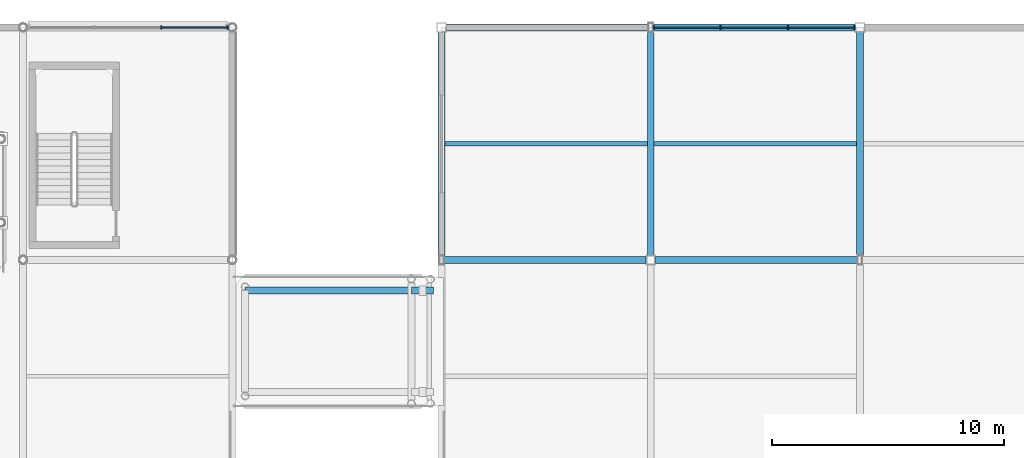
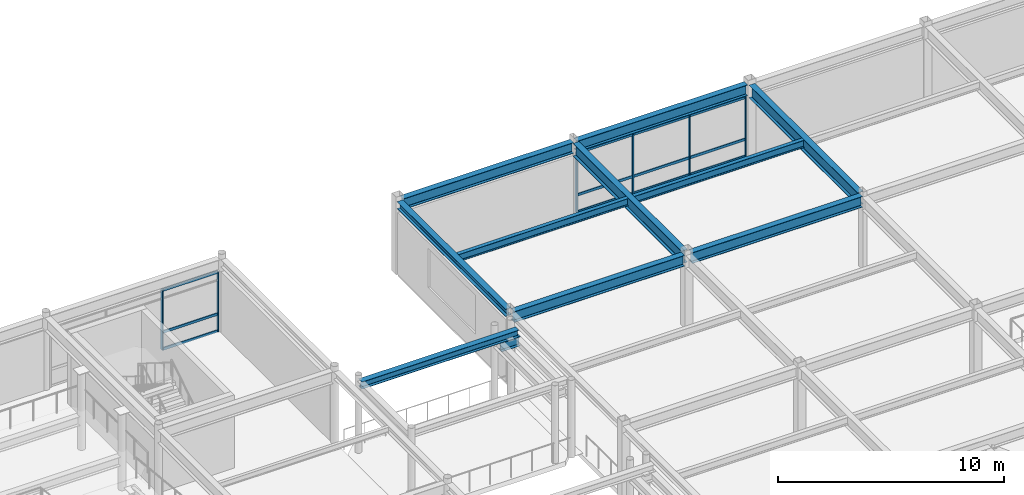
# One storey, part 24 of 70: 18 members, 11 beams, 2 elements without a shape of their own.
"""IFC4 building model written with IfcOpenShell, lengths in metres."""

import ifcopenshell
import ifcopenshell.guid

model = None  # the IFC model being written
_history = None  # IfcOwnerHistory: only IFC2X3 demands one
_inside = {}  # id of a spatial element -> (the spatial element, [elements in it])
_under = {}  # id of a project, library or spatial element -> (it, [spatial elements below it])
_declared = {}  # id of a project -> (the project, [libraries it declares])
_typed = {}  # id of a type object -> (the type object, [elements of that type])
_made_of = {}  # id of a material, layer set ... -> (it, [elements and type objects made of it])


def new_model(schema):
    """Start an empty IFC model of exactly this schema.

    Asked for "IFC4X3", IfcOpenShell would pick the latest addendum, in which some entities
    have other attributes; the version numbers below select the first issue.
    IFC2X3 requires an IfcOwnerHistory on every rooted entity: one is made here for all.
    """
    global model, _history
    if schema == "IFC4X3":
        model = ifcopenshell.file(schema_version=(4, 3, 0, 0))
    else:
        model = ifcopenshell.file(schema=schema)
    _inside.clear()
    _under.clear()
    _declared.clear()
    _typed.clear()
    _made_of.clear()
    _history = None
    if model.schema == "IFC2X3":
        org = make("IfcOrganization", Name="unknown")
        user = make(
            "IfcPersonAndOrganization",
            ThePerson=make("IfcPerson", FamilyName="unknown"),
            TheOrganization=org,
        )
        app = make(
            "IfcApplication",
            ApplicationDeveloper=org,
            Version="unknown",
            ApplicationFullName="unknown",
            ApplicationIdentifier="unknown",
        )
        _history = make(
            "IfcOwnerHistory",
            OwningUser=user,
            OwningApplication=app,
            ChangeAction="ADDED",
            CreationDate=0,
        )
    return model


def make(cls, **values):
    """One entity of the class cls with the attributes given. An attribute that is None is left unset."""
    return model.create_entity(
        cls, **{name: value for name, value in values.items() if value is not None}
    )


def rooted(cls, **values):
    """An entity with a GlobalId (a new one), such as an element, a storey or a relation."""
    return make(cls, GlobalId=ifcopenshell.guid.new(), OwnerHistory=_history, **values)


def si_unit(unit_type, name, prefix=None):
    """IfcSIUnit, for example si_unit("LENGTHUNIT", "METRE", prefix="MILLI")."""
    return make("IfcSIUnit", UnitType=unit_type, Prefix=prefix, Name=name)


def assignment(units):
    """IfcUnitAssignment: the units of a project."""
    return None if units is None else make("IfcUnitAssignment", Units=units)


def point(xyz):
    """IfcCartesianPoint."""
    return None if xyz is None else make("IfcCartesianPoint", Coordinates=xyz)


def direction(xyz):
    """IfcDirection."""
    return None if xyz is None else make("IfcDirection", DirectionRatios=xyz)


def frame(location, z_axis=None, x_axis=None):
    """IfcAxis2Placement3D, a coordinate frame: its origin and axes. An axis left out is left unset."""
    return make(
        "IfcAxis2Placement3D",
        Location=point(location),
        Axis=direction(z_axis),
        RefDirection=direction(x_axis),
    )


def frame_2d(location, x_axis=None):
    """IfcAxis2Placement2D, a coordinate frame in the plane: its origin and x axis."""
    return make(
        "IfcAxis2Placement2D", Location=point(location), RefDirection=direction(x_axis)
    )


def origin():
    """The frame at (0, 0, 0) with its axes left unset."""
    return frame((0.0, 0.0, 0.0))


def origin_2d():
    """The frame at (0, 0) in the plane with its x axis left unset."""
    return frame_2d((0.0, 0.0))


def place(relative_to, where):
    """IfcLocalPlacement: puts the frame where relative to a parent placement (None: the world)."""
    return make(
        "IfcLocalPlacement", PlacementRelTo=relative_to, RelativePlacement=where
    )


def context(
    kind, dimensions, precision=None, world=None, true_north=None, identifier=None
):
    """IfcGeometricRepresentationContext, for example the 3D "Model" context."""
    return make(
        "IfcGeometricRepresentationContext",
        ContextIdentifier=identifier,
        ContextType=kind,
        CoordinateSpaceDimension=dimensions,
        Precision=precision,
        WorldCoordinateSystem=world,
        TrueNorth=true_north,
    )


def subcontext(parent, identifier, kind, view, scale=None):
    """IfcGeometricRepresentationSubContext, for example "Body" below "Model"."""
    return make(
        "IfcGeometricRepresentationSubContext",
        ContextIdentifier=identifier,
        ContextType=kind,
        ParentContext=parent,
        TargetScale=scale,
        TargetView=view,
    )


def project(units=None, contexts=None):
    """IfcProject with its units and contexts."""
    return rooted(
        "IfcProject",
        Name="project",
        RepresentationContexts=contexts,
        UnitsInContext=assignment(units),
    )


def spatial(cls, under=None, at=None, **own):
    """A site, building, storey or space (cls), placed at a placement, below another one or the project."""
    s = rooted(cls, ObjectPlacement=at, **own)
    if under is not None:
        _under.setdefault(under.id(), (under, []))[1].append(s)
    return s


def profile(cls, at=None, kind="AREA", **sizes):
    """A parametric profile (cls). Its sizes go by their IFC names, for example OverallWidth=200.0."""
    return make(cls, ProfileType=kind, Position=at, **sizes)


def rectangle(**sizes):
    """IfcRectangleProfileDef."""
    return profile("IfcRectangleProfileDef", **sizes)


def i_section(**sizes):
    """IfcIShapeProfileDef."""
    return profile("IfcIShapeProfileDef", **sizes)


def extrude(swept, where, along, depth):
    """IfcExtrudedAreaSolid: the profile swept, set in the frame where, extruded along a direction by depth."""
    return make(
        "IfcExtrudedAreaSolid",
        SweptArea=swept,
        Position=where,
        ExtrudedDirection=direction(along),
        Depth=depth,
    )


def shape(context_of_items, identifier, shape_type, items):
    """IfcShapeRepresentation: the items that make up one representation, for example the "Body"."""
    return make(
        "IfcShapeRepresentation",
        ContextOfItems=context_of_items,
        RepresentationIdentifier=identifier,
        RepresentationType=shape_type,
        Items=items,
    )


def material(Name=None, Category=None):
    """IfcMaterial."""
    return make("IfcMaterial", Name=Name, Category=Category)


def material_profile(
    of_material, cross_section, Name=None, Category=None, Priority=None
):
    """IfcMaterialProfile: a cross section and its material."""
    return make(
        "IfcMaterialProfile",
        Name=Name,
        Material=of_material,
        Profile=cross_section,
        Priority=Priority,
        Category=Category,
    )


def profile_set(profiles, Name=None, composite=None):
    """IfcMaterialProfileSet."""
    return make(
        "IfcMaterialProfileSet",
        Name=Name,
        MaterialProfiles=profiles,
        CompositeProfile=composite,
    )


def made_of(thing, what):
    """Note that an element or type object is made of a material, layer set ...; save() writes the relation."""
    if what is not None:
        _made_of.setdefault(what.id(), (what, []))[1].append(thing)
    return thing


def type_object(cls, material=None, **own):
    """A type object (cls), such as IfcWallType, which elements share."""
    return made_of(rooted(cls, **own), material)


def element(
    cls,
    number,
    at=None,
    inside=None,
    cuts=None,
    type_object=None,
    material=None,
    context=None,
    identifier="Body",
    shape_type=None,
    held_by="IfcProductDefinitionShape",
    body=None,
    shapes=None,
    **own,
):
    """One element of the class cls, such as IfcWall. Its Tag is "e" and its number.

    at: its placement. inside: the storey or other place that contains it. cuts: it is an
    opening in that element (IfcRelVoidsElement). A single representation is given by context,
    identifier, shape_type and body (its items); several are given by shapes. held_by: the class
    of the entity that holds the representations. save() writes the other relations.
    """
    e = rooted(cls, Tag="e%d" % number, ObjectPlacement=at, **own)
    if body is not None:
        shapes = [shape(context, identifier, shape_type, body)]
    if shapes is not None:
        e.Representation = make(held_by, Representations=shapes)
    if inside is not None:
        _inside.setdefault(inside.id(), (inside, []))[1].append(e)
    if cuts is not None:
        rooted(
            "IfcRelVoidsElement", RelatingBuildingElement=cuts, RelatedOpeningElement=e
        )
    if type_object is not None:
        _typed.setdefault(type_object.id(), (type_object, []))[1].append(e)
    return made_of(e, material)


def aggregate(whole, parts):
    """IfcRelAggregates: a whole, such as a stair, and the parts it consists of."""
    return rooted("IfcRelAggregates", RelatingObject=whole, RelatedObjects=parts)


def save(model, path):
    """Write the relations noted so far, then the file.

    IfcRelAggregates (storeys below a building ...), IfcRelContainedInSpatialStructure (elements
    in a storey), IfcRelDefinesByType, IfcRelAssociatesMaterial and IfcRelDeclares: one each for
    every whole, place, type object, material and project.
    """
    for whole, parts in _under.values():
        aggregate(whole, parts)
    for where, things in _inside.values():
        rooted(
            "IfcRelContainedInSpatialStructure",
            RelatedElements=things,
            RelatingStructure=where,
        )
    for kind, things in _typed.values():
        rooted("IfcRelDefinesByType", RelatedObjects=things, RelatingType=kind)
    for what, things in _made_of.values():
        rooted("IfcRelAssociatesMaterial", RelatedObjects=things, RelatingMaterial=what)
    for by, libraries in _declared.values():
        rooted("IfcRelDeclares", RelatingContext=by, RelatedDefinitions=libraries)
    model.write(path)


model = new_model("IFC4")

# Units and contexts
model_context = context("Model", 3, precision=1e-05, world=origin(), true_north=direction((0.0, 1.0)))
body_context = subcontext(model_context, "Body", "Model", "MODEL_VIEW")
ifc_project = project(units=[si_unit("LENGTHUNIT", "METRE"), si_unit("AREAUNIT", "SQUARE_METRE"), si_unit("VOLUMEUNIT", "CUBIC_METRE"), si_unit("PLANEANGLEUNIT", "RADIAN"), si_unit("MASSUNIT", "GRAM", prefix="KILO")], contexts=[model_context])

# Site, building, storey
site_placement = place(None, origin())
site = spatial("IfcSite", under=ifc_project, at=site_placement, CompositionType="ELEMENT")
building_placement = place(site_placement, origin())
building = spatial("IfcBuilding", under=site, at=building_placement, Name="Suzunagisa Mobility Hub", CompositionType="ELEMENT")
storey_placement = place(building_placement, frame((0.0, 0.0, 13.5)))
storey = spatial("IfcBuildingStorey", under=building, at=storey_placement, Name="L03", CompositionType="ELEMENT", Elevation=13.5)

# Curtain wall, members
ifc_material_1 = material(Name="Thermally Broken Anodized Aluminum and Low-E Glazing", Category="aluminium")
curtain_wall_type = type_object("IfcCurtainWallType", Name="Unitised Curtain Wall CW-13 8750x3200", PredefinedType="USERDEFINED", material=ifc_material_1)
curtain_wall_1_placement = place(storey_placement, origin())
curtain_wall_1 = element("IfcCurtainWall", 1, at=curtain_wall_1_placement, inside=storey, type_object=curtain_wall_type, Name="L03 Unitised Curtain Wall CW-75", ObjectType="UNITISED CURTAIN WALL", PredefinedType="USERDEFINED")
ifc_material_2 = material(Name="Anodized Aluminum 6063-T6", Category="aluminium")
ifc_material_profile_1 = material_profile(ifc_material_2, rectangle(XDim=0.06494140625, YDim=0.139892578125, at=origin_2d()), Name="TRAN-65x140")
ifc_profile_set_1 = profile_set([ifc_material_profile_1], Name="Anodized Aluminum 6063-T6")
member_type_1 = type_object("IfcMemberType", Name="Curtain Wall Framing CM-01 TRAN-65x140", PredefinedType="USERDEFINED", material=ifc_profile_set_1)
member_1_placement = place(storey_placement, frame((35.76416015625, 118.0, 0.032470703125), z_axis=(-1.0, 0.0, 0.0), x_axis=(0.0, -1.0, 0.0)))
member_1 = element("IfcMember", 2, at=member_1_placement, type_object=member_type_1, Name="Curtain Wall Transom 75-T1.1", ObjectType="TRANSOM", PredefinedType="USERDEFINED", context=body_context, shape_type="SweptSolid", body=[
    extrude(rectangle(XDim=0.06494140625, YDim=0.139892578125, at=origin_2d()), origin(), (0.0, 0.0, 1.0), 2.79541015625),
])
member_2_placement = place(storey_placement, frame((35.76416015625, 118.0, 0.949951171875), z_axis=(-1.0, 0.0, 0.0), x_axis=(0.0, -1.0, 0.0)))
member_2 = element("IfcMember", 3, at=member_2_placement, type_object=member_type_1, Name="Curtain Wall Transom 75-T1.2", ObjectType="TRANSOM", PredefinedType="USERDEFINED", context=body_context, shape_type="SweptSolid", body=[
    extrude(rectangle(XDim=0.06494140625, YDim=0.139892578125, at=origin_2d()), origin(), (0.0, 0.0, 1.0), 2.79541015625),
])
member_3_placement = place(storey_placement, frame((35.76416015625, 118.0, 3.217529296875), z_axis=(-1.0, 0.0, 0.0), x_axis=(0.0, -1.0, 0.0)))
member_3 = element("IfcMember", 4, at=member_3_placement, type_object=member_type_1, Name="Curtain Wall Transom 75-T1.3", ObjectType="TRANSOM", PredefinedType="USERDEFINED", context=body_context, shape_type="SweptSolid", body=[
    extrude(rectangle(XDim=0.06494140625, YDim=0.139892578125, at=origin_2d()), origin(), (0.0, 0.0, 1.0), 2.79541015625),
])

curtain_wall_2_placement = place(storey_placement, origin())
curtain_wall_2 = element("IfcCurtainWall", 5, at=curtain_wall_2_placement, inside=storey, type_object=curtain_wall_type, Name="L03 Unitised Curtain Wall CW-130", ObjectType="UNITISED CURTAIN WALL", PredefinedType="USERDEFINED")
member_4_placement = place(storey_placement, frame((62.741943359375, 118.0, 0.032470703125), z_axis=(-1.0, 0.0, 0.0), x_axis=(0.0, -1.0, 0.0)))
member_4 = element("IfcMember", 6, at=member_4_placement, type_object=member_type_1, Name="Curtain Wall Transom 130-T1.1", ObjectType="TRANSOM", PredefinedType="USERDEFINED", context=body_context, shape_type="SweptSolid", body=[
    extrude(rectangle(XDim=0.06494140625, YDim=0.139892578125, at=origin_2d()), origin(), (0.0, 0.0, 1.0), 2.81396484375),
])
member_5_placement = place(storey_placement, frame((62.741943359375, 118.0, 0.949951171875), z_axis=(-1.0, 0.0, 0.0), x_axis=(0.0, -1.0, 0.0)))
member_5 = element("IfcMember", 7, at=member_5_placement, type_object=member_type_1, Name="Curtain Wall Transom 130-T1.2", ObjectType="TRANSOM", PredefinedType="USERDEFINED", context=body_context, shape_type="SweptSolid", body=[
    extrude(rectangle(XDim=0.06494140625, YDim=0.139892578125, at=origin_2d()), origin(), (0.0, 0.0, 1.0), 2.81396484375),
])
member_6_placement = place(storey_placement, frame((62.741943359375, 118.0, 3.217529296875), z_axis=(-1.0, 0.0, 0.0), x_axis=(0.0, -1.0, 0.0)))
member_6 = element("IfcMember", 8, at=member_6_placement, type_object=member_type_1, Name="Curtain Wall Transom 130-T1.3", ObjectType="TRANSOM", PredefinedType="USERDEFINED", context=body_context, shape_type="SweptSolid", body=[
    extrude(rectangle(XDim=0.06494140625, YDim=0.139892578125, at=origin_2d()), origin(), (0.0, 0.0, 1.0), 2.81396484375),
])
member_7_placement = place(storey_placement, frame((59.8720703125, 118.0, 0.032470703125), z_axis=(-1.0, 0.0, 0.0), x_axis=(0.0, -1.0, 0.0)))
member_7 = element("IfcMember", 9, at=member_7_placement, type_object=member_type_1, Name="Curtain Wall Transom 130-T2.1", ObjectType="TRANSOM", PredefinedType="USERDEFINED", context=body_context, shape_type="SweptSolid", body=[
    extrude(rectangle(XDim=0.06494140625, YDim=0.139892578125, at=origin_2d()), origin(), (0.0, 0.0, 1.0), 2.843994140625),
])
member_8_placement = place(storey_placement, frame((59.8720703125, 118.0, 0.949951171875), z_axis=(-1.0, 0.0, 0.0), x_axis=(0.0, -1.0, 0.0)))
member_8 = element("IfcMember", 10, at=member_8_placement, type_object=member_type_1, Name="Curtain Wall Transom 130-T2.2", ObjectType="TRANSOM", PredefinedType="USERDEFINED", context=body_context, shape_type="SweptSolid", body=[
    extrude(rectangle(XDim=0.06494140625, YDim=0.139892578125, at=origin_2d()), origin(), (0.0, 0.0, 1.0), 2.843994140625),
])
member_9_placement = place(storey_placement, frame((59.8720703125, 118.0, 3.217529296875), z_axis=(-1.0, 0.0, 0.0), x_axis=(0.0, -1.0, 0.0)))
member_9 = element("IfcMember", 11, at=member_9_placement, type_object=member_type_1, Name="Curtain Wall Transom 130-T2.3", ObjectType="TRANSOM", PredefinedType="USERDEFINED", context=body_context, shape_type="SweptSolid", body=[
    extrude(rectangle(XDim=0.06494140625, YDim=0.139892578125, at=origin_2d()), origin(), (0.0, 0.0, 1.0), 2.843994140625),
])
member_10_placement = place(storey_placement, frame((56.971923828125, 118.0, 0.032470703125), z_axis=(-1.0, 0.0, 0.0), x_axis=(0.0, -1.0, 0.0)))
member_10 = element("IfcMember", 12, at=member_10_placement, type_object=member_type_1, Name="Curtain Wall Transom 130-T3.1", ObjectType="TRANSOM", PredefinedType="USERDEFINED", context=body_context, shape_type="SweptSolid", body=[
    extrude(rectangle(XDim=0.06494140625, YDim=0.139892578125, at=origin_2d()), origin(), (0.0, 0.0, 1.0), 2.81396484375),
])
member_11_placement = place(storey_placement, frame((56.971923828125, 118.0, 0.949951171875), z_axis=(-1.0, 0.0, 0.0), x_axis=(0.0, -1.0, 0.0)))
member_11 = element("IfcMember", 13, at=member_11_placement, type_object=member_type_1, Name="Curtain Wall Transom 130-T3.2", ObjectType="TRANSOM", PredefinedType="USERDEFINED", context=body_context, shape_type="SweptSolid", body=[
    extrude(rectangle(XDim=0.06494140625, YDim=0.139892578125, at=origin_2d()), origin(), (0.0, 0.0, 1.0), 2.81396484375),
])
member_12_placement = place(storey_placement, frame((56.971923828125, 118.0, 3.217529296875), z_axis=(-1.0, 0.0, 0.0), x_axis=(0.0, -1.0, 0.0)))
member_12 = element("IfcMember", 14, at=member_12_placement, type_object=member_type_1, Name="Curtain Wall Transom 130-T3.3", ObjectType="TRANSOM", PredefinedType="USERDEFINED", context=body_context, shape_type="SweptSolid", body=[
    extrude(rectangle(XDim=0.06494140625, YDim=0.139892578125, at=origin_2d()), origin(), (0.0, 0.0, 1.0), 2.81396484375),
])

# Member
ifc_material_profile_2 = material_profile(ifc_material_2, rectangle(XDim=0.06005859375, YDim=0.14990234375, at=origin_2d()), Name="MULL-60x150")
ifc_profile_set_2 = profile_set([ifc_material_profile_2], Name="Anodized Aluminum 6063-T6")
member_type_2 = type_object("IfcMemberType", Name="Curtain Wall Framing CM-03 MULL-60x150", PredefinedType="MULLION", material=ifc_profile_set_2)
member_13_placement = place(storey_placement, frame((35.792236328125, 118.0, 0.0), z_axis=(0.0, 0.0, 1.0), x_axis=(-1.0, 0.0, 0.0)))
member_13 = element("IfcMember", 15, at=member_13_placement, type_object=member_type_2, Name="Curtain Wall Mullion 75-M1", PredefinedType="MULLION", context=body_context, shape_type="SweptSolid", body=[
    extrude(rectangle(XDim=0.06005859375, YDim=0.14990234375, at=origin_2d()), origin(), (0.0, 0.0, 1.0), 3.25),
])

member_14_placement = place(storey_placement, frame((32.940673828125, 118.0, 0.0), z_axis=(0.0, 0.0, 1.0), x_axis=(-1.0, 0.0, 0.0)))
member_14 = element("IfcMember", 16, at=member_14_placement, type_object=member_type_2, Name="Curtain Wall Mullion 75-M2", PredefinedType="MULLION", context=body_context, shape_type="SweptSolid", body=[
    extrude(rectangle(XDim=0.06005859375, YDim=0.14990234375, at=origin_2d()), origin(), (0.0, 0.0, 1.0), 3.25),
])

aggregate(curtain_wall_1, [member_13, member_14, member_1, member_2, member_3])

member_15_placement = place(storey_placement, frame((62.77001953125, 118.0, 0.0), z_axis=(0.0, 0.0, 1.0), x_axis=(-1.0, 0.0, 0.0)))
member_15 = element("IfcMember", 17, at=member_15_placement, type_object=member_type_2, Name="Curtain Wall Mullion 130-M1", PredefinedType="MULLION", context=body_context, shape_type="SweptSolid", body=[
    extrude(rectangle(XDim=0.06005859375, YDim=0.14990234375, at=origin_2d()), origin(), (0.0, 0.0, 1.0), 3.25),
])

member_16_placement = place(storey_placement, frame((59.89990234375, 118.0, 0.0), z_axis=(0.0, 0.0, 1.0), x_axis=(-1.0, 0.0, 0.0)))
member_16 = element("IfcMember", 18, at=member_16_placement, type_object=member_type_2, Name="Curtain Wall Mullion 130-M2", PredefinedType="MULLION", context=body_context, shape_type="SweptSolid", body=[
    extrude(rectangle(XDim=0.06005859375, YDim=0.14990234375, at=origin_2d()), origin(), (0.0, 0.0, 1.0), 3.25),
])

member_17_placement = place(storey_placement, frame((57.0, 118.0, 0.0), z_axis=(0.0, 0.0, 1.0), x_axis=(-1.0, 0.0, 0.0)))
member_17 = element("IfcMember", 19, at=member_17_placement, type_object=member_type_2, Name="Curtain Wall Mullion 130-M3", PredefinedType="MULLION", context=body_context, shape_type="SweptSolid", body=[
    extrude(rectangle(XDim=0.06005859375, YDim=0.14990234375, at=origin_2d()), origin(), (0.0, 0.0, 1.0), 3.25),
])

member_18_placement = place(storey_placement, frame((54.1298828125, 118.0, 0.0), z_axis=(0.0, 0.0, 1.0), x_axis=(-1.0, 0.0, 0.0)))
member_18 = element("IfcMember", 20, at=member_18_placement, type_object=member_type_2, Name="Curtain Wall Mullion 130-M4", PredefinedType="MULLION", context=body_context, shape_type="SweptSolid", body=[
    extrude(rectangle(XDim=0.06005859375, YDim=0.14990234375, at=origin_2d()), origin(), (0.0, 0.0, 1.0), 3.25),
])

aggregate(curtain_wall_2, [member_15, member_16, member_17, member_18, member_4, member_5, member_6, member_7, member_8, member_9, member_10, member_11, member_12])

# Beams
ifc_material_3 = material(Name="Steel SN490B", Category="steel")
ifc_material_profile_3 = material_profile(ifc_material_3, i_section(OverallWidth=0.300048828125, OverallDepth=0.488037109375, WebThickness=0.010986328125, FlangeThickness=0.01806640625, FilletRadius=0.012939453125, at=origin_2d()), Name="H-488x300x11x18")
ifc_profile_set_3 = profile_set([ifc_material_profile_3], Name="Steel SN490B")
beam_type_1 = type_object("IfcBeamType", Name="Steel Beam BM-06 H-488x300x11x18", PredefinedType="BEAM", material=ifc_profile_set_3)
beam_1_placement = place(storey_placement, frame((43.699951171875, 106.679931640625, 3.305908203125), z_axis=(1.0, 0.0, 0.0), x_axis=(0.0, 1.0, 0.0)))
element("IfcBeam", 21, at=beam_1_placement, inside=storey, type_object=beam_type_1, Name="L04 Skybridge 950mm Bearing Seat VRL-L04-N-B", PredefinedType="BEAM", context=body_context, shape_type="SweptSolid", body=[
    extrude(i_section(OverallWidth=0.300048828125, OverallDepth=0.488037109375, WebThickness=0.010986328125, FlangeThickness=0.01806640625, FilletRadius=0.012939453125, at=origin_2d()), origin(), (0.0, 0.0, 1.0), 0.949951171875),
])
ifc_material_profile_4 = material_profile(ifc_material_3, i_section(OverallWidth=0.300048828125, OverallDepth=0.699951171875, WebThickness=0.012939453125, FlangeThickness=0.02392578125, FilletRadius=0.01806640625, at=origin_2d()), Name="H-700x300x13x24")
ifc_profile_set_4 = profile_set([ifc_material_profile_4], Name="Steel SN490B")
beam_type_2 = type_object("IfcBeamType", Name="Steel Beam BM-11 H-700x300x13x24", PredefinedType="BEAM", material=ifc_profile_set_4)
for number, where, z_axis, x_axis, name in (
    (22, (54.0, 108.196044921875, 3.60009765625), (0.0, 1.0, 0.0), (-1.0, 0.0, 0.0), "L03 Primary Girder GY-1070"),
    (23, (63.0, 108.196044921875, 3.60009765625), (0.0, 1.0, 0.0), (-1.0, 0.0, 0.0), "L03 Primary Girder GY-1074"),
):
    element("IfcBeam", number, at=place(storey_placement, frame(where, z_axis=z_axis, x_axis=x_axis)), inside=storey, type_object=beam_type_2, Name=name, PredefinedType="BEAM", context=body_context, shape_type="SweptSolid", body=[
        extrude(i_section(OverallWidth=0.300048828125, OverallDepth=0.699951171875, WebThickness=0.012939453125, FlangeThickness=0.02392578125, FilletRadius=0.01806640625, at=origin_2d()), origin(), (0.0, 0.0, 1.0), 9.60791015625),
    ])
ifc_material_profile_5 = material_profile(ifc_material_3, i_section(OverallWidth=0.300048828125, OverallDepth=0.389892578125, WebThickness=0.010009765625, FlangeThickness=0.01611328125, FilletRadius=0.012939453125, at=origin_2d()), Name="H-390x300x10x16")
ifc_profile_set_5 = profile_set([ifc_material_profile_5], Name="Steel SN490B")
beam_type_3 = type_object("IfcBeamType", Name="Steel Beam BM-13 H-390x300x10x16", PredefinedType="SPANDREL", material=ifc_profile_set_5)
beam_2_placement = place(storey_placement, frame((45.0, 108.196044921875, 3.7548828125), z_axis=(0.0, 1.0, 0.0), x_axis=(-1.0, 0.0, 0.0)))
element("IfcBeam", 24, at=beam_2_placement, inside=storey, type_object=beam_type_3, Name="L03 Primary Girder GY-1066", PredefinedType="SPANDREL", context=body_context, shape_type="SweptSolid", body=[
    extrude(i_section(OverallWidth=0.300048828125, OverallDepth=0.389892578125, WebThickness=0.010009765625, FlangeThickness=0.01611328125, FilletRadius=0.012939453125, at=origin_2d()), origin(), (0.0, 0.0, 1.0), 9.60791015625),
])
ifc_material_4 = material(Name="Steel SN400B", Category="steel")
ifc_material_profile_6 = material_profile(ifc_material_4, i_section(OverallWidth=0.199951171875, OverallDepth=0.39990234375, WebThickness=0.008056640625, FlangeThickness=0.012939453125, FilletRadius=0.012939453125, at=origin_2d()), Name="H-400x200x8x13")
ifc_profile_set_6 = profile_set([ifc_material_profile_6], Name="Steel SN400B")
beam_type_4 = type_object("IfcBeamType", Name="Steel Beam BM-14 H-400x200x8x13", PredefinedType="JOIST", material=ifc_profile_set_6)
for number, where, z_axis, x_axis, name in (
    (25, (45.14990234375, 113.0, 3.75), (1.0, 0.0, 0.0), (0.0, 1.0, 0.0), "L03 Composite Floor Joist J-1098"),
    (26, (54.14990234375, 113.0, 3.75), (1.0, 0.0, 0.0), (0.0, 1.0, 0.0), "L03 Composite Floor Joist J-1101"),
):
    element("IfcBeam", number, at=place(storey_placement, frame(where, z_axis=z_axis, x_axis=x_axis)), inside=storey, type_object=beam_type_4, Name=name, PredefinedType="JOIST", context=body_context, shape_type="SweptSolid", body=[
        extrude(i_section(OverallWidth=0.199951171875, OverallDepth=0.39990234375, WebThickness=0.008056640625, FlangeThickness=0.012939453125, FilletRadius=0.012939453125, at=origin_2d()), origin(), (0.0, 0.0, 1.0), 8.7001953125),
    ])
ifc_material_profile_7 = material_profile(ifc_material_3, i_section(OverallWidth=0.300048828125, OverallDepth=0.587890625, WebThickness=0.011962890625, FlangeThickness=0.02001953125, FilletRadius=0.012939453125, at=origin_2d()), Name="H-588x300x12x20")
ifc_profile_set_7 = profile_set([ifc_material_profile_7], Name="Steel SN490B")
beam_type_5 = type_object("IfcBeamType", Name="Steel Beam BM-16 H-588x300x12x20", PredefinedType="BEAM", material=ifc_profile_set_7)
for number, where, z_axis, x_axis, name in (
    (27, (45.095947265625, 108.0, 3.656005859375), (1.0, 0.0, 0.0), (0.0, 1.0, 0.0), "L03 Primary Girder GX-1049"),
    (28, (54.196044921875, 108.0, 3.656005859375), (1.0, 0.0, 0.0), (0.0, 1.0, 0.0), "L03 Primary Girder GX-1050"),
    (29, (45.196044921875, 118.0, 3.656005859375), (1.0, 0.0, 0.0), (0.0, 1.0, 0.0), "L03 Primary Girder GX-1056"),
    (30, (54.095947265625, 118.0, 3.656005859375), (1.0, 0.0, 0.0), (0.0, 1.0, 0.0), "L03 Primary Girder GX-1057"),
):
    element("IfcBeam", number, at=place(storey_placement, frame(where, z_axis=z_axis, x_axis=x_axis)), inside=storey, type_object=beam_type_5, Name=name, PredefinedType="BEAM", context=body_context, shape_type="SweptSolid", body=[
        extrude(i_section(OverallWidth=0.300048828125, OverallDepth=0.587890625, WebThickness=0.011962890625, FlangeThickness=0.02001953125, FilletRadius=0.012939453125, at=origin_2d()), origin(), (0.0, 0.0, 1.0), 8.7080078125),
    ])
ifc_material_profile_8 = material_profile(ifc_material_3, i_section(OverallWidth=0.300048828125, OverallDepth=0.389892578125, WebThickness=0.010009765625, FlangeThickness=0.01611328125, FilletRadius=0.012939453125, at=origin_2d()), Name="H-390x300x10x16")
ifc_profile_set_8 = profile_set([ifc_material_profile_8], Name="Steel SN490B")
beam_type_6 = type_object("IfcBeamType", Name="Steel Beam BM-17 H-390x300x10x16", PredefinedType="T_BEAM", material=ifc_profile_set_8)
beam_3_placement = place(storey_placement, frame((36.550048828125, 106.679931640625, 3.7451171875), z_axis=(1.0, 0.0, 0.0), x_axis=(0.0, 1.0, 0.0)))
element("IfcBeam", 31, at=beam_3_placement, inside=storey, type_object=beam_type_6, Name="L04 Bridge Girder VRL-L04-N-B", PredefinedType="T_BEAM", context=body_context, shape_type="SweptSolid", body=[
    extrude(i_section(OverallWidth=0.300048828125, OverallDepth=0.389892578125, WebThickness=0.010009765625, FlangeThickness=0.01611328125, FilletRadius=0.012939453125, at=origin_2d()), origin(), (0.0, 0.0, 1.0), 8.02001953125),
])

save(model, "model.ifc")
